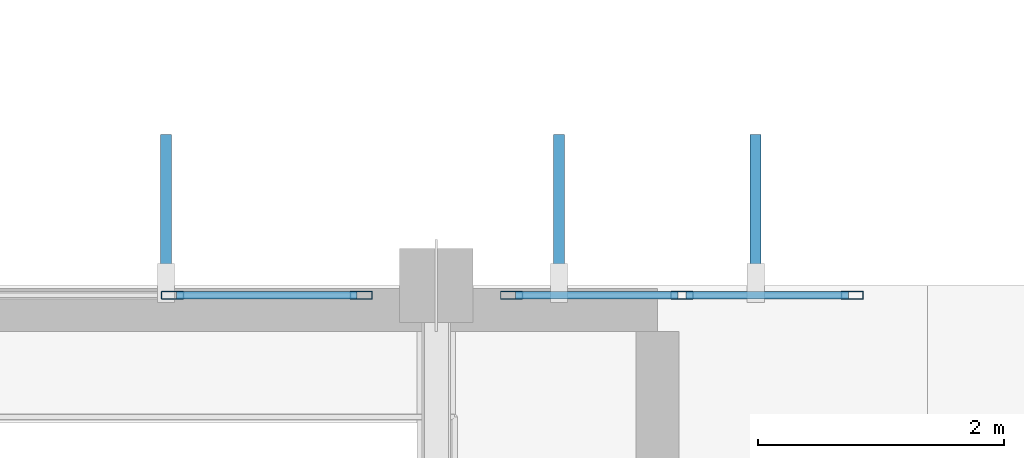
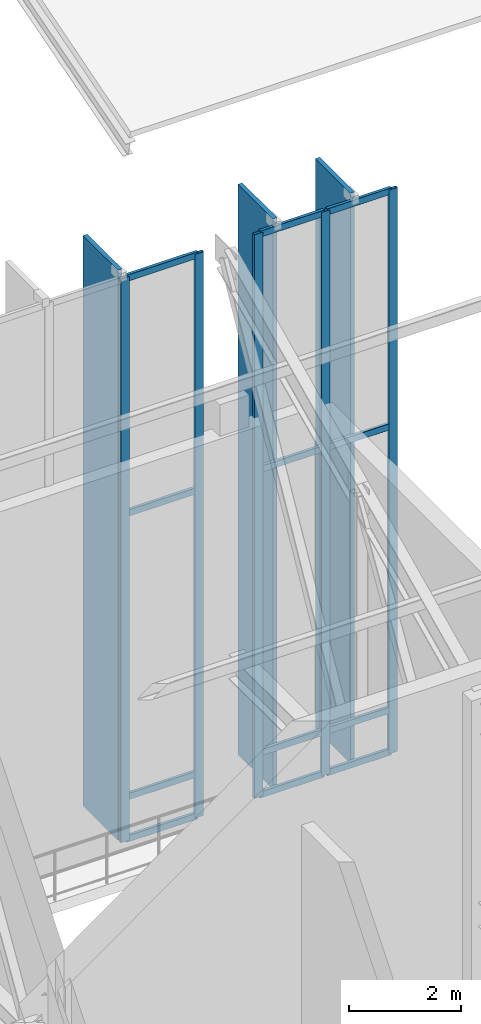
# One storey, part 42 of 68: 20 members, 2 elements without a shape of their own.
"""IFC4 building model written with IfcOpenShell, lengths in metres."""

from ifc_helpers import new_model, si_unit, direction, frame, origin, origin_2d, place, context, subcontext, project, spatial, rectangle, hollow_rectangle, extrude, material, material_profile, profile_set, type_object, element, aggregate, save


model = new_model("IFC4")

# Units and contexts
model_context = context("Model", 3, precision=1e-05, world=origin(), true_north=direction((0.0, 1.0)))
body_context = subcontext(model_context, "Body", "Model", "MODEL_VIEW")
ifc_project = project(units=[si_unit("LENGTHUNIT", "METRE"), si_unit("AREAUNIT", "SQUARE_METRE"), si_unit("VOLUMEUNIT", "CUBIC_METRE"), si_unit("PLANEANGLEUNIT", "RADIAN"), si_unit("MASSUNIT", "GRAM", prefix="KILO")], contexts=[model_context])

# Site, building, storey
site_placement = place(None, origin())
site = spatial("IfcSite", under=ifc_project, at=site_placement, CompositionType="ELEMENT")
building_placement = place(site_placement, origin())
building = spatial("IfcBuilding", under=site, at=building_placement, Name="Miravela Opera House", CompositionType="ELEMENT")
storey_placement = place(building_placement, frame((0.0, 0.0, 21.760009765625)))
storey = spatial("IfcBuildingStorey", under=building, at=storey_placement, Name="L05", CompositionType="ELEMENT", Elevation=21.760009765625)

# Curtain wall, members
ifc_material = material(Name="Anodised architectural bronze aluminium 6063-T6", Category="aluminium")
curtain_wall_type = type_object("IfcCurtainWallType", Name="ARC-CW-03", PredefinedType="NOTDEFINED", material=ifc_material)
curtain_wall_1_placement = place(storey_placement, origin())
curtain_wall_1 = element("IfcCurtainWall", 1, at=curtain_wall_1_placement, inside=storey, type_object=curtain_wall_type, Name="Auditorium North Wrapper Glazing CW-L05-063", PredefinedType="NOTDEFINED")
ifc_material_profile_1 = material_profile(ifc_material, hollow_rectangle(XDim=0.06494140625, YDim=0.179931640625, WallThickness=0.00390625, InnerFilletRadius=0.001953125, OuterFilletRadius=0.00390625, at=origin_2d()), Name="CWM-65X180")
ifc_profile_set_1 = profile_set([ifc_material_profile_1])
member_type_1 = type_object("IfcMemberType", Name="ARC-CWM-180", PredefinedType="MULLION", material=ifc_profile_set_1)
member_1_placement = place(storey_placement, frame((51.85205078125, 74.919921875, 0.0), z_axis=(0.0, 0.0, 1.0), x_axis=(0.0, 1.0, 0.0)))
member_1 = element("IfcMember", 2, at=member_1_placement, type_object=member_type_1, Name="CW-03 mullion 5", PredefinedType="MULLION", context=body_context, shape_type="SweptSolid", body=[
    extrude(hollow_rectangle(XDim=0.06494140625, YDim=0.179931640625, WallThickness=0.00390625, InnerFilletRadius=0.001953125, OuterFilletRadius=0.00390625, at=origin_2d()), origin(), (0.0, 0.0, 1.0), 12.31005859375),
])
member_2_placement = place(storey_placement, frame((53.387451171875, 74.919921875, 0.0), z_axis=(0.0, 0.0, 1.0), x_axis=(0.0, 1.0, 0.0)))
member_2 = element("IfcMember", 3, at=member_2_placement, type_object=member_type_1, Name="CW-03 mullion 6", PredefinedType="MULLION", context=body_context, shape_type="SweptSolid", body=[
    extrude(hollow_rectangle(XDim=0.06494140625, YDim=0.179931640625, WallThickness=0.00390625, InnerFilletRadius=0.001953125, OuterFilletRadius=0.00390625, at=origin_2d()), origin(), (0.0, 0.0, 1.0), 12.31005859375),
])

curtain_wall_2_placement = place(storey_placement, origin())
curtain_wall_2 = element("IfcCurtainWall", 4, at=curtain_wall_2_placement, inside=storey, type_object=curtain_wall_type, Name="Auditorium North Wrapper Glazing CW-L05-065", PredefinedType="NOTDEFINED")
member_3_placement = place(storey_placement, frame((54.612548828125, 74.919921875, 0.0), z_axis=(0.0, 0.0, 1.0), x_axis=(0.0, 1.0, 0.0)))
member_3 = element("IfcMember", 5, at=member_3_placement, type_object=member_type_1, Name="CW-03 mullion 1", PredefinedType="MULLION", context=body_context, shape_type="SweptSolid", body=[
    extrude(hollow_rectangle(XDim=0.06494140625, YDim=0.179931640625, WallThickness=0.00390625, InnerFilletRadius=0.001953125, OuterFilletRadius=0.00390625, at=origin_2d()), origin(), (0.0, 0.0, 1.0), 12.31005859375),
])
member_4_placement = place(storey_placement, frame((56.0, 74.919921875, 0.0), z_axis=(0.0, 0.0, 1.0), x_axis=(0.0, 1.0, 0.0)))
member_4 = element("IfcMember", 6, at=member_4_placement, type_object=member_type_1, Name="CW-03 mullion 2", PredefinedType="MULLION", context=body_context, shape_type="SweptSolid", body=[
    extrude(hollow_rectangle(XDim=0.06494140625, YDim=0.179931640625, WallThickness=0.00390625, InnerFilletRadius=0.001953125, OuterFilletRadius=0.00390625, at=origin_2d()), origin(), (0.0, 0.0, 1.0), 12.31005859375),
])
member_5_placement = place(storey_placement, frame((57.387451171875, 74.919921875, 0.0), z_axis=(0.0, 0.0, 1.0), x_axis=(0.0, 1.0, 0.0)))
member_5 = element("IfcMember", 7, at=member_5_placement, type_object=member_type_1, Name="CW-03 mullion 3", PredefinedType="MULLION", context=body_context, shape_type="SweptSolid", body=[
    extrude(hollow_rectangle(XDim=0.06494140625, YDim=0.179931640625, WallThickness=0.00390625, InnerFilletRadius=0.001953125, OuterFilletRadius=0.00390625, at=origin_2d()), origin(), (0.0, 0.0, 1.0), 12.31005859375),
])

# Member
ifc_material_profile_2 = material_profile(ifc_material, hollow_rectangle(XDim=0.06494140625, YDim=0.139892578125, WallThickness=0.00390625, InnerFilletRadius=0.001953125, OuterFilletRadius=0.00390625, at=origin_2d()), Name="CWT-65X140")
ifc_profile_set_2 = profile_set([ifc_material_profile_2])
member_type_2 = type_object("IfcMemberType", Name="ARC-CWT-140", PredefinedType="USERDEFINED", material=ifc_profile_set_2)
member_6_placement = place(storey_placement, frame((51.884521484375, 74.919921875, 0.032470703125), z_axis=(1.0, 0.0, 0.0), x_axis=(0.0, 1.0, 0.0)))
member_6 = element("IfcMember", 8, at=member_6_placement, type_object=member_type_2, Name="CW-03 transom 5.1", ObjectType="TRANSOM", PredefinedType="USERDEFINED", context=body_context, shape_type="SweptSolid", body=[
    extrude(hollow_rectangle(XDim=0.06494140625, YDim=0.139892578125, WallThickness=0.00390625, InnerFilletRadius=0.001953125, OuterFilletRadius=0.00390625, at=origin_2d()), origin(), (0.0, 0.0, 1.0), 1.470458984375),
])

member_7_placement = place(storey_placement, frame((51.884521484375, 74.919921875, 0.949951171875), z_axis=(1.0, 0.0, 0.0), x_axis=(0.0, 1.0, 0.0)))
member_7 = element("IfcMember", 9, at=member_7_placement, type_object=member_type_2, Name="CW-03 transom 5.2", ObjectType="TRANSOM", PredefinedType="USERDEFINED", context=body_context, shape_type="SweptSolid", body=[
    extrude(hollow_rectangle(XDim=0.06494140625, YDim=0.139892578125, WallThickness=0.00390625, InnerFilletRadius=0.001953125, OuterFilletRadius=0.00390625, at=origin_2d()), origin(), (0.0, 0.0, 1.0), 1.470458984375),
])

member_8_placement = place(storey_placement, frame((51.884521484375, 74.919921875, 7.139892578125), z_axis=(1.0, 0.0, 0.0), x_axis=(0.0, 1.0, 0.0)))
member_8 = element("IfcMember", 10, at=member_8_placement, type_object=member_type_2, Name="CW-03 transom 5.3", ObjectType="TRANSOM", PredefinedType="USERDEFINED", context=body_context, shape_type="SweptSolid", body=[
    extrude(hollow_rectangle(XDim=0.06494140625, YDim=0.139892578125, WallThickness=0.00390625, InnerFilletRadius=0.001953125, OuterFilletRadius=0.00390625, at=origin_2d()), origin(), (0.0, 0.0, 1.0), 1.470458984375),
])

member_9_placement = place(storey_placement, frame((51.884521484375, 74.919921875, 12.277587890625), z_axis=(1.0, 0.0, 0.0), x_axis=(0.0, 1.0, 0.0)))
member_9 = element("IfcMember", 11, at=member_9_placement, type_object=member_type_2, Name="CW-03 transom 5.4", ObjectType="TRANSOM", PredefinedType="USERDEFINED", context=body_context, shape_type="SweptSolid", body=[
    extrude(hollow_rectangle(XDim=0.06494140625, YDim=0.139892578125, WallThickness=0.00390625, InnerFilletRadius=0.001953125, OuterFilletRadius=0.00390625, at=origin_2d()), origin(), (0.0, 0.0, 1.0), 1.470458984375),
])

aggregate(curtain_wall_1, [member_1, member_2, member_6, member_7, member_8, member_9])

member_10_placement = place(storey_placement, frame((54.64501953125, 74.919921875, 0.032470703125), z_axis=(1.0, 0.0, 0.0), x_axis=(0.0, 1.0, 0.0)))
member_10 = element("IfcMember", 12, at=member_10_placement, type_object=member_type_2, Name="CW-03 transom 1.1", ObjectType="TRANSOM", PredefinedType="USERDEFINED", context=body_context, shape_type="SweptSolid", body=[
    extrude(hollow_rectangle(XDim=0.06494140625, YDim=0.139892578125, WallThickness=0.00390625, InnerFilletRadius=0.001953125, OuterFilletRadius=0.00390625, at=origin_2d()), origin(), (0.0, 0.0, 1.0), 1.322509765625),
])

member_11_placement = place(storey_placement, frame((54.64501953125, 74.919921875, 0.949951171875), z_axis=(1.0, 0.0, 0.0), x_axis=(0.0, 1.0, 0.0)))
member_11 = element("IfcMember", 13, at=member_11_placement, type_object=member_type_2, Name="CW-03 transom 1.2", ObjectType="TRANSOM", PredefinedType="USERDEFINED", context=body_context, shape_type="SweptSolid", body=[
    extrude(hollow_rectangle(XDim=0.06494140625, YDim=0.139892578125, WallThickness=0.00390625, InnerFilletRadius=0.001953125, OuterFilletRadius=0.00390625, at=origin_2d()), origin(), (0.0, 0.0, 1.0), 1.322509765625),
])

member_12_placement = place(storey_placement, frame((54.64501953125, 74.919921875, 7.139892578125), z_axis=(1.0, 0.0, 0.0), x_axis=(0.0, 1.0, 0.0)))
member_12 = element("IfcMember", 14, at=member_12_placement, type_object=member_type_2, Name="CW-03 transom 1.3", ObjectType="TRANSOM", PredefinedType="USERDEFINED", context=body_context, shape_type="SweptSolid", body=[
    extrude(hollow_rectangle(XDim=0.06494140625, YDim=0.139892578125, WallThickness=0.00390625, InnerFilletRadius=0.001953125, OuterFilletRadius=0.00390625, at=origin_2d()), origin(), (0.0, 0.0, 1.0), 1.322509765625),
])

member_13_placement = place(storey_placement, frame((54.64501953125, 74.919921875, 12.277587890625), z_axis=(1.0, 0.0, 0.0), x_axis=(0.0, 1.0, 0.0)))
member_13 = element("IfcMember", 15, at=member_13_placement, type_object=member_type_2, Name="CW-03 transom 1.4", ObjectType="TRANSOM", PredefinedType="USERDEFINED", context=body_context, shape_type="SweptSolid", body=[
    extrude(hollow_rectangle(XDim=0.06494140625, YDim=0.139892578125, WallThickness=0.00390625, InnerFilletRadius=0.001953125, OuterFilletRadius=0.00390625, at=origin_2d()), origin(), (0.0, 0.0, 1.0), 1.322509765625),
])

member_14_placement = place(storey_placement, frame((56.032470703125, 74.919921875, 0.032470703125), z_axis=(1.0, 0.0, 0.0), x_axis=(0.0, 1.0, 0.0)))
member_14 = element("IfcMember", 16, at=member_14_placement, type_object=member_type_2, Name="CW-03 transom 2.1", ObjectType="TRANSOM", PredefinedType="USERDEFINED", context=body_context, shape_type="SweptSolid", body=[
    extrude(hollow_rectangle(XDim=0.06494140625, YDim=0.139892578125, WallThickness=0.00390625, InnerFilletRadius=0.001953125, OuterFilletRadius=0.00390625, at=origin_2d()), origin(), (0.0, 0.0, 1.0), 1.322509765625),
])

member_15_placement = place(storey_placement, frame((56.032470703125, 74.919921875, 0.949951171875), z_axis=(1.0, 0.0, 0.0), x_axis=(0.0, 1.0, 0.0)))
member_15 = element("IfcMember", 17, at=member_15_placement, type_object=member_type_2, Name="CW-03 transom 2.2", ObjectType="TRANSOM", PredefinedType="USERDEFINED", context=body_context, shape_type="SweptSolid", body=[
    extrude(hollow_rectangle(XDim=0.06494140625, YDim=0.139892578125, WallThickness=0.00390625, InnerFilletRadius=0.001953125, OuterFilletRadius=0.00390625, at=origin_2d()), origin(), (0.0, 0.0, 1.0), 1.322509765625),
])

member_16_placement = place(storey_placement, frame((56.032470703125, 74.919921875, 7.139892578125), z_axis=(1.0, 0.0, 0.0), x_axis=(0.0, 1.0, 0.0)))
member_16 = element("IfcMember", 18, at=member_16_placement, type_object=member_type_2, Name="CW-03 transom 2.3", ObjectType="TRANSOM", PredefinedType="USERDEFINED", context=body_context, shape_type="SweptSolid", body=[
    extrude(hollow_rectangle(XDim=0.06494140625, YDim=0.139892578125, WallThickness=0.00390625, InnerFilletRadius=0.001953125, OuterFilletRadius=0.00390625, at=origin_2d()), origin(), (0.0, 0.0, 1.0), 1.322509765625),
])

member_17_placement = place(storey_placement, frame((56.032470703125, 74.919921875, 12.277587890625), z_axis=(1.0, 0.0, 0.0), x_axis=(0.0, 1.0, 0.0)))
member_17 = element("IfcMember", 19, at=member_17_placement, type_object=member_type_2, Name="CW-03 transom 2.4", ObjectType="TRANSOM", PredefinedType="USERDEFINED", context=body_context, shape_type="SweptSolid", body=[
    extrude(hollow_rectangle(XDim=0.06494140625, YDim=0.139892578125, WallThickness=0.00390625, InnerFilletRadius=0.001953125, OuterFilletRadius=0.00390625, at=origin_2d()), origin(), (0.0, 0.0, 1.0), 1.322509765625),
])

aggregate(curtain_wall_2, [member_3, member_4, member_5, member_10, member_11, member_12, member_13, member_14, member_15, member_16, member_17])

# Members
ifc_material_profile_3 = material_profile(ifc_material, rectangle(XDim=0.090087890625, YDim=1.25, at=origin_2d()), Name="FIN-1250X90")
ifc_profile_set_3 = profile_set([ifc_material_profile_3])
member_type_3 = type_object("IfcMemberType", Name="ARC-FIN-1250", PredefinedType="USERDEFINED", material=ifc_profile_set_3)
for number, where, z_axis, x_axis, name in (
    (20, (51.800048828125, 75.60498046875, 0.0), (0.0, 0.0, 1.0), (1.0, 0.0, 0.0), "Auditorium Wrapper Bronze Solar Fin FIN-L05-NORTH-0203"),
    (21, (55.0, 75.60498046875, 0.0), (0.0, 0.0, 1.0), (1.0, 0.0, 0.0), "Auditorium Wrapper Bronze Solar Fin FIN-L05-NORTH-0205"),
    (22, (56.60009765625, 75.60498046875, 0.0), (0.0, 0.0, 1.0), (1.0, 0.0, 0.0), "Auditorium Wrapper Bronze Solar Fin FIN-L05-NORTH-0207"),
):
    element("IfcMember", number, at=place(storey_placement, frame(where, z_axis=z_axis, x_axis=x_axis)), inside=storey, type_object=member_type_3, Name=name, ObjectType="FIN", PredefinedType="USERDEFINED", context=body_context, shape_type="SweptSolid", body=[
        extrude(rectangle(XDim=0.090087890625, YDim=1.25, at=origin_2d()), origin(), (0.0, 0.0, 1.0), 12.449951171875),
    ])

save(model, "model.ifc")
